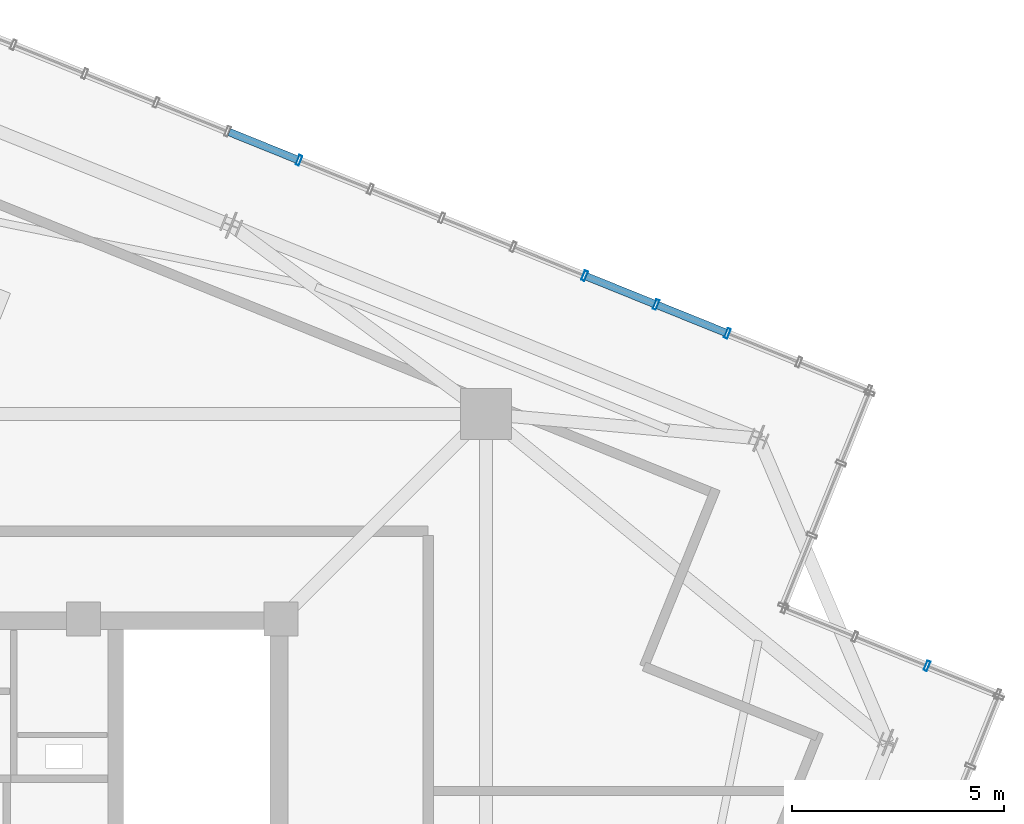
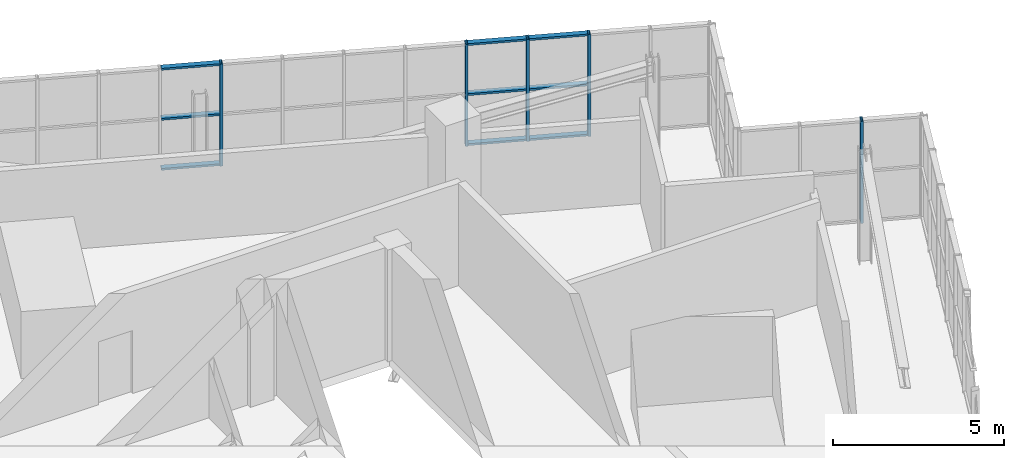
# One storey, part 17 of 26: 14 members, 2 elements without a shape of their own.
"""IFC4 building model written with IfcOpenShell, lengths in metres."""

from ifc_helpers import new_model, si_unit, direction, frame, origin, origin_2d, place, context, subcontext, project, spatial, hollow_rectangle, extrude, source, transform, mapped, material, layer, layer_set, material_profile, profile_set, type_object, element, aggregate, save


model = new_model("IFC4")

# Units and contexts
model_context = context("Model", 3, precision=1e-05, world=origin(), true_north=direction((0.0, 1.0)))
body_context = subcontext(model_context, "Body", "Model", "MODEL_VIEW")
ifc_project = project(units=[si_unit("LENGTHUNIT", "METRE"), si_unit("AREAUNIT", "SQUARE_METRE"), si_unit("VOLUMEUNIT", "CUBIC_METRE"), si_unit("PLANEANGLEUNIT", "RADIAN"), si_unit("MASSUNIT", "GRAM", prefix="KILO"), si_unit("THERMODYNAMICTEMPERATUREUNIT", "KELVIN")], contexts=[model_context])

# Site, building, storey
site_placement = place(None, origin())
site = spatial("IfcSite", under=ifc_project, at=site_placement, CompositionType="ELEMENT")
building_placement = place(site_placement, origin())
building = spatial("IfcBuilding", under=site, at=building_placement, Name="Kosmvard Interchange Tower", CompositionType="ELEMENT")
storey_placement = place(building_placement, frame((0.0, 0.0, 341.60009765625)))
storey = spatial("IfcBuildingStorey", under=building, at=storey_placement, Name="L84", CompositionType="ELEMENT", Elevation=341.60009765625)

# Curtain wall, members
ifc_material = material(Name="Architectural anodised aluminium", Category="aluminium")
ifc_layer = layer(ifc_material, 0.25, Name="Architectural anodised aluminium")
ifc_layer_set = layer_set([ifc_layer], Name="Architectural anodised aluminium")
curtain_wall_type = type_object("IfcCurtainWallType", Name="CW-6 Illuminated Crown Lantern Curtain Wall", PredefinedType="NOTDEFINED", material=ifc_layer_set)
curtain_wall_1_placement = place(storey_placement, origin())
curtain_wall_1 = element("IfcCurtainWall", 1, at=curtain_wall_1_placement, inside=storey, type_object=curtain_wall_type, Name="L84 Crown Lantern Glazing Face 04", PredefinedType="NOTDEFINED")
ifc_material_profile_1 = material_profile(ifc_material, hollow_rectangle(XDim=0.179931640625, YDim=0.070068359375, WallThickness=0.0048828125, at=origin_2d()), Name="CWT 180x70x5")
ifc_profile_set_1 = profile_set([ifc_material_profile_1], Name="Architectural anodised aluminium")
member_type_1 = type_object("IfcMemberType", Name="Heavy Lantern CW Transom 180x70 Aluminium", PredefinedType="USERDEFINED", material=ifc_profile_set_1)
shared_shape_1 = source(origin(), body_context, "Body", "SweptSolid", [
    extrude(hollow_rectangle(XDim=0.179931640625, YDim=0.070068359375, WallThickness=0.0048828125, at=origin_2d()), origin(), (0.0, 0.0, 1.0), 1.734130859375),
])
member_1_placement = place(storey_placement, frame((18.73291015625, 14.994384765625, 0.034912109375), z_axis=(-0.927179782522, 0.374616671924, 0.0), x_axis=(-0.374616671924, -0.927179782522, 0.0)))
member_1 = element("IfcMember", 2, at=member_1_placement, type_object=member_type_1, Name="CW-6 transom 3.1", ObjectType="TRANSOM", PredefinedType="USERDEFINED", context=body_context, shape_type="MappedRepresentation", body=[
    mapped(shared_shape_1, transform((0.0, 0.0, 0.0), scale=1.0)),
])
member_2_placement = place(storey_placement, frame((18.73291015625, 14.994384765625, 1.824951171875), z_axis=(-0.927179782522, 0.374616671924, 0.0), x_axis=(-0.374616671924, -0.927179782522, 0.0)))
member_2 = element("IfcMember", 3, at=member_2_placement, type_object=member_type_1, Name="CW-6 transom 3.2", ObjectType="TRANSOM", PredefinedType="USERDEFINED", context=body_context, shape_type="MappedRepresentation", body=[
    mapped(shared_shape_1, transform((0.0, 0.0, 0.0), scale=1.0)),
])
member_3_placement = place(storey_placement, frame((18.73291015625, 14.994384765625, 3.614990234375), z_axis=(-0.927179782522, 0.374616671924, 0.0), x_axis=(-0.374616671924, -0.927179782522, 0.0)))
member_3 = element("IfcMember", 4, at=member_3_placement, type_object=member_type_1, Name="CW-6 transom 3.3", ObjectType="TRANSOM", PredefinedType="USERDEFINED", context=body_context, shape_type="MappedRepresentation", body=[
    mapped(shared_shape_1, transform((0.0, 0.0, 0.0), scale=1.0)),
])
member_4_placement = place(storey_placement, frame((17.05078125, 15.674072265625, 0.034912109375), z_axis=(-0.927228675447, 0.374495638732, 0.0), x_axis=(-0.374495638732, -0.927228675447, 0.0)))
member_4 = element("IfcMember", 5, at=member_4_placement, type_object=member_type_1, Name="CW-6 transom 4.1", ObjectType="TRANSOM", PredefinedType="USERDEFINED", context=body_context, shape_type="MappedRepresentation", body=[
    mapped(shared_shape_1, transform((0.0, 0.0, 0.0), scale=1.0)),
])
member_5_placement = place(storey_placement, frame((17.05078125, 15.674072265625, 1.824951171875), z_axis=(-0.927228675447, 0.374495638732, 0.0), x_axis=(-0.374495638732, -0.927228675447, 0.0)))
member_5 = element("IfcMember", 6, at=member_5_placement, type_object=member_type_1, Name="CW-6 transom 4.2", ObjectType="TRANSOM", PredefinedType="USERDEFINED", context=body_context, shape_type="MappedRepresentation", body=[
    mapped(shared_shape_1, transform((0.0, 0.0, 0.0), scale=1.0)),
])
member_6_placement = place(storey_placement, frame((17.05078125, 15.674072265625, 3.614990234375), z_axis=(-0.927228675447, 0.374495638732, 0.0), x_axis=(-0.374495638732, -0.927228675447, 0.0)))
member_6 = element("IfcMember", 7, at=member_6_placement, type_object=member_type_1, Name="CW-6 transom 4.3", ObjectType="TRANSOM", PredefinedType="USERDEFINED", context=body_context, shape_type="MappedRepresentation", body=[
    mapped(shared_shape_1, transform((0.0, 0.0, 0.0), scale=1.0)),
])
shared_shape_2 = source(origin(), body_context, "Body", "SweptSolid", [
    extrude(hollow_rectangle(XDim=0.179931640625, YDim=0.070068359375, WallThickness=0.0048828125, at=origin_2d()), origin(), (0.0, 0.0, 1.0), 1.73388671875),
])
member_7_placement = place(storey_placement, frame((8.640625, 19.07177734375, 0.034912109375), z_axis=(-0.927160021861, 0.374665576032, 0.0), x_axis=(-0.374665576032, -0.927160021861, 0.0)))
member_7 = element("IfcMember", 8, at=member_7_placement, type_object=member_type_1, Name="CW-6 transom 9.1", ObjectType="TRANSOM", PredefinedType="USERDEFINED", context=body_context, shape_type="MappedRepresentation", body=[
    mapped(shared_shape_2, transform((0.0, 0.0, 0.0), scale=1.0)),
])
member_8_placement = place(storey_placement, frame((8.640625, 19.07177734375, 1.824951171875), z_axis=(-0.927160021861, 0.374665576032, 0.0), x_axis=(-0.374665576032, -0.927160021861, 0.0)))
member_8 = element("IfcMember", 9, at=member_8_placement, type_object=member_type_1, Name="CW-6 transom 9.2", ObjectType="TRANSOM", PredefinedType="USERDEFINED", context=body_context, shape_type="MappedRepresentation", body=[
    mapped(shared_shape_2, transform((0.0, 0.0, 0.0), scale=1.0)),
])
member_9_placement = place(storey_placement, frame((8.640625, 19.07177734375, 3.614990234375), z_axis=(-0.927160021861, 0.374665576032, 0.0), x_axis=(-0.374665576032, -0.927160021861, 0.0)))
member_9 = element("IfcMember", 10, at=member_9_placement, type_object=member_type_1, Name="CW-6 transom 9.3", ObjectType="TRANSOM", PredefinedType="USERDEFINED", context=body_context, shape_type="MappedRepresentation", body=[
    mapped(shared_shape_2, transform((0.0, 0.0, 0.0), scale=1.0)),
])

# Curtain wall, member
curtain_wall_2_placement = place(storey_placement, origin())
curtain_wall_2 = element("IfcCurtainWall", 11, at=curtain_wall_2_placement, inside=storey, type_object=curtain_wall_type, Name="L84 Crown Lantern Glazing Face 02", PredefinedType="NOTDEFINED")
ifc_material_profile_2 = material_profile(ifc_material, hollow_rectangle(XDim=0.239990234375, YDim=0.080078125, WallThickness=0.006103515625, at=origin_2d()), Name="CWM 240x80x6")
ifc_profile_set_2 = profile_set([ifc_material_profile_2], Name="Architectural anodised aluminium")
member_type_2 = type_object("IfcMemberType", Name="Lantern & Observation CW Mullion 240x80 Aluminium", PredefinedType="MULLION", material=ifc_profile_set_2)
shared_shape_3 = source(origin(), body_context, "Body", "SweptSolid", [
    extrude(hollow_rectangle(XDim=0.239990234375, YDim=0.080078125, WallThickness=0.006103515625, at=origin_2d()), origin(), (0.0, 0.0, 1.0), 3.64990234375),
])
member_10_placement = place(storey_placement, frame((23.473388671875, 7.147216796875, 0.0), z_axis=(0.0, 0.0, 1.0), x_axis=(-0.374606564822, -0.92718386612, 0.0)))
member_10 = element("IfcMember", 12, at=member_10_placement, type_object=member_type_2, Name="CW-6 mullion 2", PredefinedType="MULLION", context=body_context, shape_type="MappedRepresentation", body=[
    mapped(shared_shape_3, transform((0.0, 0.0, 0.0), scale=1.0)),
])
aggregate(curtain_wall_2, [member_10])

# Member
member_11_placement = place(storey_placement, frame((18.77001953125, 14.9794921875, 0.0), z_axis=(0.0, 0.0, 1.0), x_axis=(-0.374606584758, -0.927183858065, 0.0)))
member_11 = element("IfcMember", 13, at=member_11_placement, type_object=member_type_2, Name="CW-6 mullion 3", PredefinedType="MULLION", context=body_context, shape_type="MappedRepresentation", body=[
    mapped(shared_shape_3, transform((0.0, 0.0, 0.0), scale=1.0)),
])

member_12_placement = place(storey_placement, frame((17.087890625, 15.658935546875, 0.0), z_axis=(0.0, 0.0, 1.0), x_axis=(-0.374606584758, -0.927183858065, 0.0)))
member_12 = element("IfcMember", 14, at=member_12_placement, type_object=member_type_2, Name="CW-6 mullion 4", PredefinedType="MULLION", context=body_context, shape_type="MappedRepresentation", body=[
    mapped(shared_shape_3, transform((0.0, 0.0, 0.0), scale=1.0)),
])

member_13_placement = place(storey_placement, frame((15.40576171875, 16.338623046875, 0.0), z_axis=(0.0, 0.0, 1.0), x_axis=(-0.374606584758, -0.927183858065, 0.0)))
member_13 = element("IfcMember", 15, at=member_13_placement, type_object=member_type_2, Name="CW-6 mullion 5", PredefinedType="MULLION", context=body_context, shape_type="MappedRepresentation", body=[
    mapped(shared_shape_3, transform((0.0, 0.0, 0.0), scale=1.0)),
])

member_14_placement = place(storey_placement, frame((8.677734375, 19.056884765625, 0.0), z_axis=(0.0, 0.0, 1.0), x_axis=(-0.374606584758, -0.927183858065, 0.0)))
member_14 = element("IfcMember", 16, at=member_14_placement, type_object=member_type_2, Name="CW-6 mullion 9", PredefinedType="MULLION", context=body_context, shape_type="MappedRepresentation", body=[
    mapped(shared_shape_3, transform((0.0, 0.0, 0.0), scale=1.0)),
])

aggregate(curtain_wall_1, [member_11, member_12, member_13, member_14, member_1, member_2, member_3, member_4, member_5, member_6, member_7, member_8, member_9])

save(model, "model.ifc")
